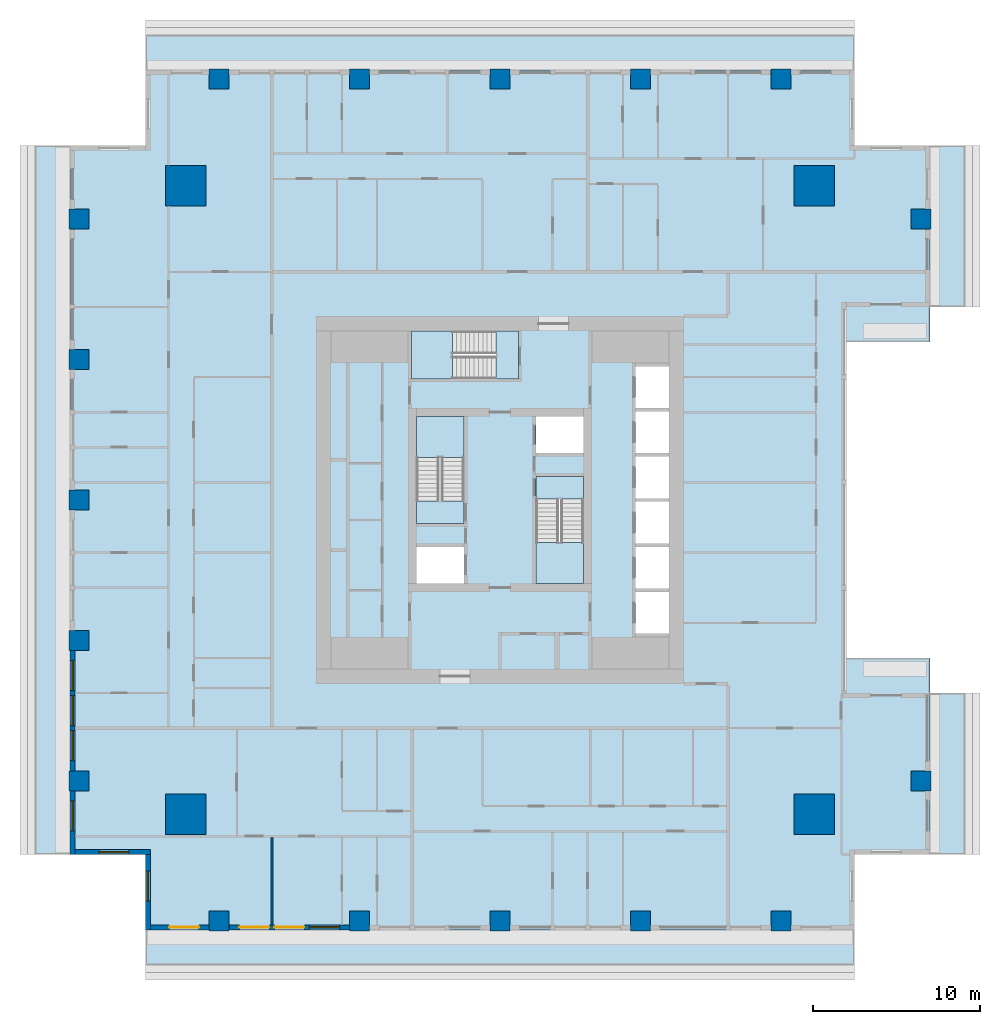
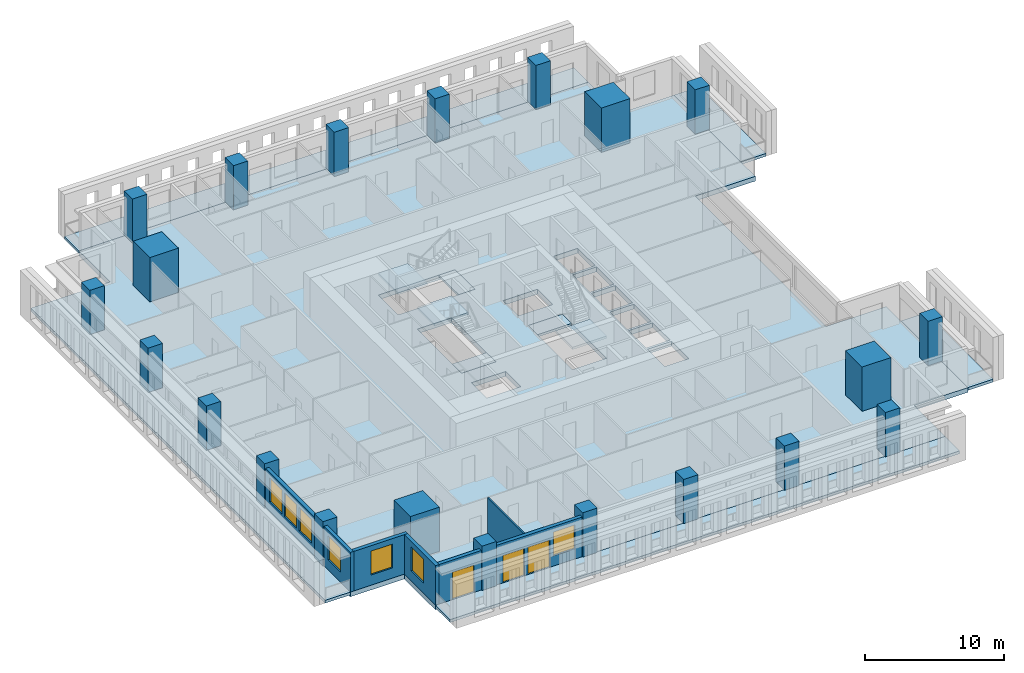
# One storey, part 1 of 15: 21 columns, 12 slabs, 7 walls, 7 windows, 3 doors, 10 openings, 3 elements without a shape of their own.
"""IFC4 building model written with IfcOpenShell, lengths in metres."""

from ifc_helpers import new_model, si_unit, direction, frame, frame_2d, origin, origin_2d, place, context, subcontext, project, spatial, polyline, rectangle, outline, extrude, material, layer, layer_set, material_profile, profile_set, type_object, element, fill, aggregate, save


model = new_model("IFC4")

# Units and contexts
model_context = context("Model", 3, precision=1e-05, world=origin(), true_north=direction((0.0, 1.0)))
body_context = subcontext(model_context, "Body", "Model", "MODEL_VIEW")
ifc_project = project(units=[si_unit("LENGTHUNIT", "METRE"), si_unit("AREAUNIT", "SQUARE_METRE"), si_unit("VOLUMEUNIT", "CUBIC_METRE"), si_unit("PLANEANGLEUNIT", "RADIAN"), si_unit("MASSUNIT", "GRAM", prefix="KILO")], contexts=[model_context])

# Site, building, storey
site_placement = place(None, origin())
site = spatial("IfcSite", under=ifc_project, at=site_placement, CompositionType="ELEMENT")
building_placement = place(site_placement, origin())
building = spatial("IfcBuilding", under=site, at=building_placement, Name="Khepri Terraces", CompositionType="ELEMENT")
storey_placement = place(building_placement, frame((0.0, 0.0, 219.60009765625)))
storey = spatial("IfcBuildingStorey", under=building, at=storey_placement, Name="L52", CompositionType="ELEMENT", Elevation=219.60009765625)

# Columns
ifc_material_1 = material(Name="Concrete C50/60", Category="concrete")
ifc_material_profile_1 = material_profile(ifc_material_1, rectangle(XDim=2.39990234375, YDim=2.39990234375, at=origin_2d()), Name="Concrete C50/60", Category="concrete")
ifc_profile_set_1 = profile_set([ifc_material_profile_1], Name="Concrete C50/60")
column_type_1 = type_object("IfcColumnType", Name="Mega column RC 2400x2400 C50/60", PredefinedType="COLUMN", material=ifc_profile_set_1)
for number, where, z_axis, x_axis, name in (
    (1, (18.800048828125, 18.800048828125, 0.0), (0.0, 0.0, 1.0), (1.0, 0.0, 0.0), "Mega column MEN L52"),
    (2, (18.800048828125, -18.800048828125, 0.0), (0.0, 0.0, 1.0), (1.0, 0.0, 0.0), "Mega column MES L52"),
    (3, (-18.800048828125, 18.800048828125, 0.0), (0.0, 0.0, 1.0), (1.0, 0.0, 0.0), "Mega column MWN L52"),
    (4, (-18.800048828125, -18.800048828125, 0.0), (0.0, 0.0, 1.0), (1.0, 0.0, 0.0), "Mega column MWS L52"),
):
    element("IfcColumn", number, at=place(storey_placement, frame(where, z_axis=z_axis, x_axis=x_axis)), inside=storey, type_object=column_type_1, Name=name, PredefinedType="COLUMN", context=body_context, shape_type="SweptSolid", body=[
        extrude(rectangle(XDim=2.39990234375, YDim=2.39990234375, at=origin_2d()), origin(), (0.0, 0.0, 1.0), 3.89990234375),
    ])
ifc_material_profile_2 = material_profile(ifc_material_1, rectangle(XDim=1.199951171875, YDim=1.199951171875, at=origin_2d()), Name="Concrete C50/60", Category="concrete")
ifc_profile_set_2 = profile_set([ifc_material_profile_2], Name="Concrete C50/60")
column_type_2 = type_object("IfcColumnType", Name="Tower column RC 1200x1200 C50/60", PredefinedType="COLUMN", material=ifc_profile_set_2)
for number, where, z_axis, x_axis, name in (
    (5, (25.199951171875, 16.800048828125, 0.0), (0.0, 0.0, 1.0), (1.0, 0.0, 0.0), "Perimeter column PE+168a L52"),
    (6, (25.199951171875, -16.800048828125, 0.0), (0.0, 0.0, 1.0), (1.0, 0.0, 0.0), "Perimeter column PE-168a L52"),
    (7, (0.0, 25.199951171875, 0.0), (0.0, 0.0, 1.0), (1.0, 0.0, 0.0), "Perimeter column PN+000b L52"),
    (8, (-8.39990234375, 25.199951171875, 0.0), (0.0, 0.0, 1.0), (1.0, 0.0, 0.0), "Perimeter column PN+084b L52"),
    (9, (-16.800048828125, 25.199951171875, 0.0), (0.0, 0.0, 1.0), (1.0, 0.0, 0.0), "Perimeter column PN+168a L52"),
    (10, (8.39990234375, 25.199951171875, 0.0), (0.0, 0.0, 1.0), (1.0, 0.0, 0.0), "Perimeter column PN-084b L52"),
    (11, (16.800048828125, 25.199951171875, 0.0), (0.0, 0.0, 1.0), (1.0, 0.0, 0.0), "Perimeter column PN-168a L52"),
    (12, (0.0, -25.199951171875, 0.0), (0.0, 0.0, 1.0), (1.0, 0.0, 0.0), "Perimeter column PS+000b L52"),
    (13, (8.39990234375, -25.199951171875, 0.0), (0.0, 0.0, 1.0), (1.0, 0.0, 0.0), "Perimeter column PS+084b L52"),
    (14, (16.800048828125, -25.199951171875, 0.0), (0.0, 0.0, 1.0), (1.0, 0.0, 0.0), "Perimeter column PS+168a L52"),
    (15, (-8.39990234375, -25.199951171875, 0.0), (0.0, 0.0, 1.0), (1.0, 0.0, 0.0), "Perimeter column PS-084b L52"),
    (16, (-16.800048828125, -25.199951171875, 0.0), (0.0, 0.0, 1.0), (1.0, 0.0, 0.0), "Perimeter column PS-168a L52"),
    (17, (-25.199951171875, 0.0, 0.0), (0.0, 0.0, 1.0), (1.0, 0.0, 0.0), "Perimeter column PW+000b L52"),
    (18, (-25.199951171875, -8.39990234375, 0.0), (0.0, 0.0, 1.0), (1.0, 0.0, 0.0), "Perimeter column PW+084b L52"),
    (19, (-25.199951171875, -16.800048828125, 0.0), (0.0, 0.0, 1.0), (1.0, 0.0, 0.0), "Perimeter column PW+168a L52"),
    (20, (-25.199951171875, 8.39990234375, 0.0), (0.0, 0.0, 1.0), (1.0, 0.0, 0.0), "Perimeter column PW-084b L52"),
    (21, (-25.199951171875, 16.800048828125, 0.0), (0.0, 0.0, 1.0), (1.0, 0.0, 0.0), "Perimeter column PW-168a L52"),
):
    element("IfcColumn", number, at=place(storey_placement, frame(where, z_axis=z_axis, x_axis=x_axis)), inside=storey, type_object=column_type_2, Name=name, PredefinedType="COLUMN", context=body_context, shape_type="SweptSolid", body=[
        extrude(rectangle(XDim=1.199951171875, YDim=1.199951171875, at=origin_2d()), origin(), (0.0, 0.0, 1.0), 3.89990234375),
    ])

# Slabs
ifc_material_2 = material(Name="Concrete C40/50", Category="concrete")
ifc_layer_1 = layer(ifc_material_2, 0.419921875, Name="Concrete C40/50", Category="concrete")
ifc_layer_set_1 = layer_set([ifc_layer_1], Name="Concrete C40/50")
slab_type_1 = type_object("IfcSlabType", Name="Flat plate 420", PredefinedType="FLOOR", material=ifc_layer_set_1)
slab_1_placement = place(storey_placement, frame((0.0, 0.0, -0.420166015625)))
element("IfcSlab", 22, at=slab_1_placement, inside=storey, type_object=slab_type_1, Name="Floor slab F01 L52", PredefinedType="FLOOR", context=body_context, shape_type="SweptSolid", body=[
    extrude(outline(polyline([(21.219970703125, 25.719970703125), (21.219970703125, 21.219970703125), (25.719970703125, 21.219970703125), (25.719970703125, 11.550048828125), (25.719970703125, 9.449951171875), (20.719970703125, 9.449951171875), (20.719970703125, -9.449951171875), (25.719970703125, -9.449951171875), (25.719970703125, -11.550048828125), (25.719970703125, -21.219970703125), (21.219970703125, -21.219970703125), (21.219970703125, -25.719970703125), (-21.219970703125, -25.719970703125), (-21.219970703125, -21.219970703125), (-25.719970703125, -21.219970703125), (-25.719970703125, 21.219970703125), (-21.219970703125, 21.219970703125), (-21.219970703125, 25.719970703125), (21.219970703125, 25.719970703125)]), holes=[polyline([(2.14990234375, 2.800048828125), (5.0, 2.800048828125), (5.0, 5.0), (2.14990234375, 5.0), (2.14990234375, 2.800048828125)]), polyline([(-5.0, -2.800048828125), (-5.0, -5.0), (-2.14990234375, -5.0), (-2.14990234375, -2.800048828125), (-5.0, -2.800048828125)]), polyline([(10.10009765625, -5.5), (8.10009765625, -5.5), (8.10009765625, -8.0), (10.10009765625, -8.0), (10.10009765625, -5.5)]), polyline([(10.10009765625, -5.300048828125), (10.10009765625, -2.800048828125), (8.10009765625, -2.800048828125), (8.10009765625, -5.300048828125), (10.10009765625, -5.300048828125)]), polyline([(8.10009765625, -2.60009765625), (10.10009765625, -2.60009765625), (10.10009765625, -0.10009765625), (8.10009765625, -0.10009765625), (8.10009765625, -2.60009765625)]), polyline([(8.10009765625, 2.60009765625), (8.10009765625, 0.10009765625), (10.10009765625, 0.10009765625), (10.10009765625, 2.60009765625), (8.10009765625, 2.60009765625)]), polyline([(10.10009765625, 5.300048828125), (8.10009765625, 5.300048828125), (8.10009765625, 2.800048828125), (10.10009765625, 2.800048828125), (10.10009765625, 5.300048828125)]), polyline([(10.10009765625, 5.5), (10.10009765625, 8.0), (8.10009765625, 8.0), (8.10009765625, 5.5), (10.10009765625, 5.5)]), polyline([(-5.0, -1.39990234375), (-2.14990234375, -1.39990234375), (-2.14990234375, 5.0), (-5.0, 5.0), (-5.0, -1.39990234375)]), polyline([(5.0, -5.0), (5.0, 1.39990234375), (2.14990234375, 1.39990234375), (2.14990234375, -5.0), (5.0, -5.0)]), polyline([(-5.300048828125, 10.10009765625), (-5.300048828125, 7.25), (1.10009765625, 7.25), (1.10009765625, 10.10009765625), (-5.300048828125, 10.10009765625)])]), origin(), (0.0, 0.0, 1.0), 0.420166015625),
])
ifc_material_3 = material(Name="Precast concrete C50/60 warm stone", Category="masonry")
ifc_layer_2 = layer(ifc_material_3, 0.25, Name="Precast concrete C50/60 warm stone", Category="masonry")
ifc_layer_set_2 = layer_set([ifc_layer_2], Name="Precast concrete C50/60 warm stone")
slab_type_2 = type_object("IfcSlabType", Name="SLB-BALCONY-250", PredefinedType="FLOOR", material=ifc_layer_set_2)
slab_2_placement = place(storey_placement, frame((0.0, 0.0, -0.25)))
element("IfcSlab", 23, at=slab_2_placement, inside=storey, type_object=slab_type_2, Name="Balcony slab L52 S", PredefinedType="FLOOR", context=body_context, shape_type="SweptSolid", body=[
    extrude(outline(polyline([(-17.39990234375, -25.719970703125), (-21.219970703125, -25.719970703125), (-21.219970703125, -27.820068359375), (21.219970703125, -27.820068359375), (21.219970703125, -25.719970703125), (17.39990234375, -25.719970703125), (17.39990234375, -25.800048828125), (16.199951171875, -25.800048828125), (16.199951171875, -25.719970703125), (9.0, -25.719970703125), (9.0, -25.800048828125), (7.800048828125, -25.800048828125), (7.800048828125, -25.719970703125), (0.60009765625, -25.719970703125), (0.60009765625, -25.800048828125), (-0.60009765625, -25.800048828125), (-0.60009765625, -25.719970703125), (-7.800048828125, -25.719970703125), (-7.800048828125, -25.800048828125), (-9.0, -25.800048828125), (-9.0, -25.719970703125), (-16.199951171875, -25.719970703125), (-16.199951171875, -25.800048828125), (-17.39990234375, -25.800048828125), (-17.39990234375, -25.719970703125)])), origin(), (0.0, 0.0, 1.0), 0.25),
])
slab_3_placement = place(storey_placement, frame((0.0, 0.0, -0.25)))
element("IfcSlab", 24, at=slab_3_placement, inside=storey, type_object=slab_type_2, Name="Balcony slab L52 E", PredefinedType="FLOOR", context=body_context, shape_type="SweptSolid", body=[
    extrude(outline(polyline([(25.719970703125, -17.39990234375), (25.719970703125, -21.219970703125), (27.820068359375, -21.219970703125), (27.820068359375, -11.550048828125), (25.719970703125, -11.550048828125), (25.719970703125, -16.199951171875), (25.800048828125, -16.199951171875), (25.800048828125, -17.39990234375), (25.719970703125, -17.39990234375)])), origin(), (0.0, 0.0, 1.0), 0.25),
])
slab_4_placement = place(storey_placement, frame((0.0, 0.0, -0.25)))
element("IfcSlab", 25, at=slab_4_placement, inside=storey, type_object=slab_type_2, Name="Balcony slab L52 E", PredefinedType="FLOOR", context=body_context, shape_type="SweptSolid", body=[
    extrude(outline(polyline([(25.719970703125, 16.199951171875), (25.719970703125, 11.550048828125), (27.820068359375, 11.550048828125), (27.820068359375, 21.219970703125), (25.719970703125, 21.219970703125), (25.719970703125, 17.39990234375), (25.800048828125, 17.39990234375), (25.800048828125, 16.199951171875), (25.719970703125, 16.199951171875)])), origin(), (0.0, 0.0, 1.0), 0.25),
])
slab_5_placement = place(storey_placement, frame((0.0, 0.0, -0.25)))
element("IfcSlab", 26, at=slab_5_placement, inside=storey, type_object=slab_type_2, Name="Balcony slab L52 N", PredefinedType="FLOOR", context=body_context, shape_type="SweptSolid", body=[
    extrude(outline(polyline([(17.39990234375, 25.719970703125), (21.219970703125, 25.719970703125), (21.219970703125, 27.820068359375), (-21.219970703125, 27.820068359375), (-21.219970703125, 25.719970703125), (-17.39990234375, 25.719970703125), (-17.39990234375, 25.800048828125), (-16.199951171875, 25.800048828125), (-16.199951171875, 25.719970703125), (-9.0, 25.719970703125), (-9.0, 25.800048828125), (-7.800048828125, 25.800048828125), (-7.800048828125, 25.719970703125), (-0.60009765625, 25.719970703125), (-0.60009765625, 25.800048828125), (0.60009765625, 25.800048828125), (0.60009765625, 25.719970703125), (7.800048828125, 25.719970703125), (7.800048828125, 25.800048828125), (9.0, 25.800048828125), (9.0, 25.719970703125), (16.199951171875, 25.719970703125), (16.199951171875, 25.800048828125), (17.39990234375, 25.800048828125), (17.39990234375, 25.719970703125)])), origin(), (0.0, 0.0, 1.0), 0.25),
])
slab_6_placement = place(storey_placement, frame((0.0, 0.0, -0.25)))
element("IfcSlab", 27, at=slab_6_placement, inside=storey, type_object=slab_type_2, Name="Balcony slab L52 W", PredefinedType="FLOOR", context=body_context, shape_type="SweptSolid", body=[
    extrude(outline(polyline([(-25.719970703125, 17.39990234375), (-25.719970703125, 21.219970703125), (-27.820068359375, 21.219970703125), (-27.820068359375, -21.219970703125), (-25.719970703125, -21.219970703125), (-25.719970703125, -17.39990234375), (-25.800048828125, -17.39990234375), (-25.800048828125, -16.199951171875), (-25.719970703125, -16.199951171875), (-25.719970703125, -9.0), (-25.800048828125, -9.0), (-25.800048828125, -7.800048828125), (-25.719970703125, -7.800048828125), (-25.719970703125, -0.60009765625), (-25.800048828125, -0.60009765625), (-25.800048828125, 0.60009765625), (-25.719970703125, 0.60009765625), (-25.719970703125, 7.800048828125), (-25.800048828125, 7.800048828125), (-25.800048828125, 9.0), (-25.719970703125, 9.0), (-25.719970703125, 16.199951171875), (-25.800048828125, 16.199951171875), (-25.800048828125, 17.39990234375), (-25.719970703125, 17.39990234375)])), origin(), (0.0, 0.0, 1.0), 0.25),
])

# Stair, slabs
stair_type = type_object("IfcStairType", Name="STAIR-RC-22R", PredefinedType="HALF_TURN_STAIR", material=ifc_material_2)
stair_1_placement = place(storey_placement, origin())
stair_1 = element("IfcStair", 28, at=stair_1_placement, inside=storey, type_object=stair_type, Name="L52 Exit Stair ST-1", PredefinedType="HALF_TURN_STAIR")
ifc_layer_3 = layer(ifc_material_2, 0.199951171875, Name="Concrete C40/50", Category="concrete")
ifc_layer_set_3 = layer_set([ifc_layer_3], Name="Concrete C40/50")
slab_type_3 = type_object("IfcSlabType", Name="SLB-CORE-LANDING", PredefinedType="LANDING", material=ifc_layer_set_3)
slab_7_placement = place(storey_placement, frame((0.0, 0.0, -0.2001953125)))
slab_7 = element("IfcSlab", 29, at=slab_7_placement, type_object=slab_type_3, Name="ST-1 landing 1", PredefinedType="LANDING", context=body_context, shape_type="SweptSolid", body=[
    extrude(outline(polyline([(-2.14990234375, -1.39990234375), (-2.14990234375, -0.050048828125), (-5.0, -0.050048828125), (-5.0, -1.39990234375), (-2.14990234375, -1.39990234375)])), origin(), (0.0, 0.0, 1.0), 0.2001953125),
])
slab_8_placement = place(storey_placement, frame((0.0, 0.0, 1.75)))
slab_8 = element("IfcSlab", 30, at=slab_8_placement, type_object=slab_type_3, Name="ST-1 landing 2", PredefinedType="LANDING", context=body_context, shape_type="SweptSolid", body=[
    extrude(outline(polyline([(-2.14990234375, 2.550048828125), (-2.14990234375, 5.0), (-5.0, 5.0), (-5.0, 2.550048828125), (-2.14990234375, 2.550048828125)])), origin(), (0.0, 0.0, 1.0), 0.199951171875),
])
aggregate(stair_1, [slab_7, slab_8])

stair_2_placement = place(storey_placement, origin())
stair_2 = element("IfcStair", 31, at=stair_2_placement, inside=storey, type_object=stair_type, Name="L52 Exit Stair ST-2", PredefinedType="HALF_TURN_STAIR")
slab_9_placement = place(storey_placement, frame((0.0, 0.0, -0.2001953125)))
slab_9 = element("IfcSlab", 32, at=slab_9_placement, type_object=slab_type_3, Name="ST-2 landing 1", PredefinedType="LANDING", context=body_context, shape_type="SweptSolid", body=[
    extrude(outline(polyline([(2.14990234375, 1.39990234375), (2.14990234375, 0.050048828125), (5.0, 0.050048828125), (5.0, 1.39990234375), (2.14990234375, 1.39990234375)])), origin(), (0.0, 0.0, 1.0), 0.2001953125),
])
slab_10_placement = place(storey_placement, frame((0.0, 0.0, 1.75)))
slab_10 = element("IfcSlab", 33, at=slab_10_placement, type_object=slab_type_3, Name="ST-2 landing 2", PredefinedType="LANDING", context=body_context, shape_type="SweptSolid", body=[
    extrude(outline(polyline([(2.14990234375, -2.550048828125), (2.14990234375, -5.0), (5.0, -5.0), (5.0, -2.550048828125), (2.14990234375, -2.550048828125)])), origin(), (0.0, 0.0, 1.0), 0.199951171875),
])
aggregate(stair_2, [slab_9, slab_10])

stair_3_placement = place(storey_placement, origin())
stair_3 = element("IfcStair", 34, at=stair_3_placement, inside=storey, type_object=stair_type, Name="L52 Exit Stair ST-3", PredefinedType="HALF_TURN_STAIR")
slab_11_placement = place(storey_placement, frame((0.0, 0.0, -0.2001953125)))
slab_11 = element("IfcSlab", 35, at=slab_11_placement, type_object=slab_type_3, Name="ST-3 landing 1", PredefinedType="LANDING", context=body_context, shape_type="SweptSolid", body=[
    extrude(outline(polyline([(1.10009765625, 10.10009765625), (-0.25, 10.10009765625), (-0.25, 7.25), (1.10009765625, 7.25), (1.10009765625, 10.10009765625)])), origin(), (0.0, 0.0, 1.0), 0.2001953125),
])
slab_12_placement = place(storey_placement, frame((0.0, 0.0, 1.75)))
slab_12 = element("IfcSlab", 36, at=slab_12_placement, type_object=slab_type_3, Name="ST-3 landing 2", PredefinedType="LANDING", context=body_context, shape_type="SweptSolid", body=[
    extrude(outline(polyline([(-2.85009765625, 10.10009765625), (-5.300048828125, 10.10009765625), (-5.300048828125, 7.25), (-2.85009765625, 7.25), (-2.85009765625, 10.10009765625)])), origin(), (0.0, 0.0, 1.0), 0.199951171875),
])
aggregate(stair_3, [slab_11, slab_12])

# Wall, openings, windows
ifc_layer_4 = layer(ifc_material_3, 0.300048828125, Name="Precast concrete C50/60 warm stone", Category="masonry")
ifc_layer_set_4 = layer_set([ifc_layer_4], Name="Precast concrete C50/60 warm stone")
wall_type_1 = type_object("IfcWallType", Name="WL-EXT-PRECAST-300", PredefinedType="STANDARD", material=ifc_layer_set_4)
wall_1_placement = place(storey_placement, frame((-25.570068359375, -9.0, 0.0), z_axis=(0.0, 0.0, 1.0), x_axis=(0.0, -1.0, 0.0)))
wall_1 = element("IfcWall", 37, at=wall_1_placement, inside=storey, type_object=wall_type_1, Name="External wall L52 W", PredefinedType="STANDARD", context=body_context, shape_type="SweptSolid", body=[
    extrude(rectangle(XDim=7.199951171875, YDim=0.300048828125, at=frame_2d((3.60009765625, 0.0))), origin(), (0.0, 0.0, 1.0), 3.47998046875),
])
opening_1_placement = place(wall_1_placement, frame((0.60009765625, 0.0, 0.89990234375)))
opening_1 = element("IfcOpeningElement", 38, at=opening_1_placement, cuts=wall_1, Name="Opening W1", PredefinedType="OPENING", context=body_context, shape_type="SweptSolid", body=[
    extrude(rectangle(XDim=1.800048828125, YDim=2.10009765625, at=frame_2d((0.89990234375, 1.050048828125))), frame((0.0, 0.16015625, 0.0), z_axis=(0.0, -1.0, 0.0), x_axis=(1.0, 0.0, 0.0)), (0.0, 0.0, 1.0), 0.320068359375),
])
opening_2_placement = place(wall_1_placement, frame((2.699951171875, 0.0, 0.89990234375)))
opening_2 = element("IfcOpeningElement", 39, at=opening_2_placement, cuts=wall_1, Name="Opening W1", PredefinedType="OPENING", context=body_context, shape_type="SweptSolid", body=[
    extrude(rectangle(XDim=1.800048828125, YDim=2.10009765625, at=frame_2d((0.89990234375, 1.050048828125))), frame((0.0, 0.16015625, 0.0), z_axis=(0.0, -1.0, 0.0), x_axis=(1.0, 0.0, 0.0)), (0.0, 0.0, 1.0), 0.320068359375),
])
opening_3_placement = place(wall_1_placement, frame((4.800048828125, 0.0, 0.89990234375)))
opening_3 = element("IfcOpeningElement", 40, at=opening_3_placement, cuts=wall_1, Name="Opening W1", PredefinedType="OPENING", context=body_context, shape_type="SweptSolid", body=[
    extrude(rectangle(XDim=1.800048828125, YDim=2.10009765625, at=frame_2d((0.89990234375, 1.050048828125))), frame((0.0, 0.16015625, 0.0), z_axis=(0.0, -1.0, 0.0), x_axis=(1.0, 0.0, 0.0)), (0.0, 0.0, 1.0), 0.320068359375),
])
ifc_material_4 = material(Name="Clear glass", Category="glass")
window_type = type_object("IfcWindowType", Name="WIN-RES-1800x2100", PartitioningType="SINGLE_PANEL", PredefinedType="WINDOW", material=ifc_material_4)
window_1_placement = place(opening_1_placement, origin())
window_1 = element("IfcWindow", 41, at=window_1_placement, inside=storey, type_object=window_type, Name="Window L52 W", OverallHeight=2.10009765625, OverallWidth=1.800048828125, PartitioningType="SINGLE_PANEL", PredefinedType="WINDOW", context=body_context, shape_type="SweptSolid", body=[
    extrude(rectangle(XDim=1.800048828125, YDim=2.10009765625, at=frame_2d((0.89990234375, 1.050048828125))), frame((0.0, 0.030029296875, 0.0), z_axis=(0.0, -1.0, 0.0), x_axis=(1.0, 0.0, 0.0)), (0.0, 0.0, 1.0), 0.06005859375),
])
fill(opening_1, window_1)
window_2_placement = place(opening_2_placement, origin())
window_2 = element("IfcWindow", 42, at=window_2_placement, inside=storey, type_object=window_type, Name="Window L52 W", OverallHeight=2.10009765625, OverallWidth=1.800048828125, PartitioningType="SINGLE_PANEL", PredefinedType="WINDOW", context=body_context, shape_type="SweptSolid", body=[
    extrude(rectangle(XDim=1.800048828125, YDim=2.10009765625, at=frame_2d((0.89990234375, 1.050048828125))), frame((0.0, 0.030029296875, 0.0), z_axis=(0.0, -1.0, 0.0), x_axis=(1.0, 0.0, 0.0)), (0.0, 0.0, 1.0), 0.06005859375),
])
fill(opening_2, window_2)
window_3_placement = place(opening_3_placement, origin())
window_3 = element("IfcWindow", 43, at=window_3_placement, inside=storey, type_object=window_type, Name="Window L52 W", OverallHeight=2.10009765625, OverallWidth=1.800048828125, PartitioningType="SINGLE_PANEL", PredefinedType="WINDOW", context=body_context, shape_type="SweptSolid", body=[
    extrude(rectangle(XDim=1.800048828125, YDim=2.10009765625, at=frame_2d((0.89990234375, 1.050048828125))), frame((0.0, 0.030029296875, 0.0), z_axis=(0.0, -1.0, 0.0), x_axis=(1.0, 0.0, 0.0)), (0.0, 0.0, 1.0), 0.06005859375),
])
fill(opening_3, window_3)

# Wall, opening, window
wall_2_placement = place(storey_placement, frame((-25.570068359375, -17.39990234375, 0.0), z_axis=(0.0, 0.0, 1.0), x_axis=(0.0, -1.0, 0.0)))
wall_2 = element("IfcWall", 44, at=wall_2_placement, inside=storey, type_object=wall_type_1, Name="External wall L52 W", PredefinedType="STANDARD", context=body_context, shape_type="SweptSolid", body=[
    extrude(rectangle(XDim=3.820068359375, YDim=0.300048828125, at=frame_2d((1.91015625, 0.0))), origin(), (0.0, 0.0, 1.0), 3.47998046875),
])
opening_4_placement = place(wall_2_placement, frame((0.60009765625, 0.0, 0.89990234375)))
opening_4 = element("IfcOpeningElement", 45, at=opening_4_placement, cuts=wall_2, Name="Opening W1", PredefinedType="OPENING", context=body_context, shape_type="SweptSolid", body=[
    extrude(rectangle(XDim=1.800048828125, YDim=2.10009765625, at=frame_2d((0.89990234375, 1.050048828125))), frame((0.0, 0.16015625, 0.0), z_axis=(0.0, -1.0, 0.0), x_axis=(1.0, 0.0, 0.0)), (0.0, 0.0, 1.0), 0.320068359375),
])
window_4_placement = place(opening_4_placement, origin())
window_4 = element("IfcWindow", 46, at=window_4_placement, inside=storey, type_object=window_type, Name="Window L52 W", OverallHeight=2.10009765625, OverallWidth=1.800048828125, PartitioningType="SINGLE_PANEL", PredefinedType="WINDOW", context=body_context, shape_type="SweptSolid", body=[
    extrude(rectangle(XDim=1.800048828125, YDim=2.10009765625, at=frame_2d((0.89990234375, 1.050048828125))), frame((0.0, 0.030029296875, 0.0), z_axis=(0.0, -1.0, 0.0), x_axis=(1.0, 0.0, 0.0)), (0.0, 0.0, 1.0), 0.06005859375),
])
fill(opening_4, window_4)

wall_3_placement = place(storey_placement, frame((-25.419921875, -21.070068359375, 0.0), z_axis=(0.0, 0.0, 1.0), x_axis=(1.0, 0.0, 0.0)))
wall_3 = element("IfcWall", 47, at=wall_3_placement, inside=storey, type_object=wall_type_1, Name="External wall L52 S", PredefinedType="STANDARD", context=body_context, shape_type="SweptSolid", body=[
    extrude(rectangle(XDim=4.5, YDim=0.300048828125, at=frame_2d((2.25, 0.0))), origin(), (0.0, 0.0, 1.0), 3.47998046875),
])
opening_5_placement = place(wall_3_placement, frame((1.419921875, 0.0, 0.89990234375)))
opening_5 = element("IfcOpeningElement", 48, at=opening_5_placement, cuts=wall_3, Name="Opening W1", PredefinedType="OPENING", context=body_context, shape_type="SweptSolid", body=[
    extrude(rectangle(XDim=1.800048828125, YDim=2.10009765625, at=frame_2d((0.89990234375, 1.050048828125))), frame((0.0, 0.16015625, 0.0), z_axis=(0.0, -1.0, 0.0), x_axis=(1.0, 0.0, 0.0)), (0.0, 0.0, 1.0), 0.320068359375),
])
window_5_placement = place(opening_5_placement, origin())
window_5 = element("IfcWindow", 49, at=window_5_placement, inside=storey, type_object=window_type, Name="Window L52 S", OverallHeight=2.10009765625, OverallWidth=1.800048828125, PartitioningType="SINGLE_PANEL", PredefinedType="WINDOW", context=body_context, shape_type="SweptSolid", body=[
    extrude(rectangle(XDim=1.800048828125, YDim=2.10009765625, at=frame_2d((0.89990234375, 1.050048828125))), frame((0.0, 0.030029296875, 0.0), z_axis=(0.0, -1.0, 0.0), x_axis=(1.0, 0.0, 0.0)), (0.0, 0.0, 1.0), 0.06005859375),
])
fill(opening_5, window_5)

wall_4_placement = place(storey_placement, frame((-21.070068359375, -21.219970703125, 0.0), z_axis=(0.0, 0.0, 1.0), x_axis=(0.0, -1.0, 0.0)))
wall_4 = element("IfcWall", 50, at=wall_4_placement, inside=storey, type_object=wall_type_1, Name="External wall L52 W", PredefinedType="STANDARD", context=body_context, shape_type="SweptSolid", body=[
    extrude(rectangle(XDim=4.5, YDim=0.300048828125, at=frame_2d((2.25, 0.0))), origin(), (0.0, 0.0, 1.0), 3.47998046875),
])
opening_6_placement = place(wall_4_placement, frame((0.97998046875, 0.0, 0.89990234375)))
opening_6 = element("IfcOpeningElement", 51, at=opening_6_placement, cuts=wall_4, Name="Opening W1", PredefinedType="OPENING", context=body_context, shape_type="SweptSolid", body=[
    extrude(rectangle(XDim=1.800048828125, YDim=2.10009765625, at=frame_2d((0.89990234375, 1.050048828125))), frame((0.0, 0.16015625, 0.0), z_axis=(0.0, -1.0, 0.0), x_axis=(1.0, 0.0, 0.0)), (0.0, 0.0, 1.0), 0.320068359375),
])
window_6_placement = place(opening_6_placement, origin())
window_6 = element("IfcWindow", 52, at=window_6_placement, inside=storey, type_object=window_type, Name="Window L52 W", OverallHeight=2.10009765625, OverallWidth=1.800048828125, PartitioningType="SINGLE_PANEL", PredefinedType="WINDOW", context=body_context, shape_type="SweptSolid", body=[
    extrude(rectangle(XDim=1.800048828125, YDim=2.10009765625, at=frame_2d((0.89990234375, 1.050048828125))), frame((0.0, 0.030029296875, 0.0), z_axis=(0.0, -1.0, 0.0), x_axis=(1.0, 0.0, 0.0)), (0.0, 0.0, 1.0), 0.06005859375),
])
fill(opening_6, window_6)

# Wall, opening, door
wall_5_placement = place(storey_placement, frame((-20.919921875, -25.570068359375, 0.0), z_axis=(0.0, 0.0, 1.0), x_axis=(1.0, 0.0, 0.0)))
wall_5 = element("IfcWall", 53, at=wall_5_placement, inside=storey, type_object=wall_type_1, Name="External wall L52 S", PredefinedType="STANDARD", context=body_context, shape_type="SweptSolid", body=[
    extrude(rectangle(XDim=3.52001953125, YDim=0.300048828125, at=frame_2d((1.760009765625, 0.0))), origin(), (0.0, 0.0, 1.0), 3.47998046875),
])
opening_7_placement = place(wall_5_placement, frame((1.1201171875, 0.0, 0.0)))
opening_7 = element("IfcOpeningElement", 54, at=opening_7_placement, cuts=wall_5, Name="Opening ED-L52-16", PredefinedType="OPENING", context=body_context, shape_type="SweptSolid", body=[
    extrude(rectangle(XDim=1.800048828125, YDim=2.39990234375, at=frame_2d((0.89990234375, 1.199951171875))), frame((0.0, 0.16015625, 0.0), z_axis=(0.0, -1.0, 0.0), x_axis=(1.0, 0.0, 0.0)), (0.0, 0.0, 1.0), 0.320068359375),
])
ifc_material_5 = material(Name="Anodised aluminium bronze glazed door", Category="aluminium")
door_type = type_object("IfcDoorType", Name="DR-BAL-SLIDE-1800x2400", OperationType="NOTDEFINED", PredefinedType="DOOR", material=ifc_material_5)
door_1_placement = place(opening_7_placement, origin())
door_1 = element("IfcDoor", 55, at=door_1_placement, inside=storey, type_object=door_type, Name="Balcony door L52 S", OperationType="SLIDING_TO_RIGHT", OverallHeight=2.39990234375, OverallWidth=1.800048828125, PredefinedType="DOOR", context=body_context, shape_type="SweptSolid", body=[
    extrude(rectangle(XDim=1.800048828125, YDim=2.39990234375, at=frame_2d((0.89990234375, 1.199951171875))), frame((0.0, 0.02490234375, 0.0), z_axis=(0.0, -1.0, 0.0), x_axis=(1.0, 0.0, 0.0)), (0.0, 0.0, 1.0), 0.050048828125),
])
fill(opening_7, door_1)

# Wall, openings, doors, window
wall_6_placement = place(storey_placement, frame((-16.199951171875, -25.570068359375, 0.0), z_axis=(0.0, 0.0, 1.0), x_axis=(1.0, 0.0, 0.0)))
wall_6 = element("IfcWall", 56, at=wall_6_placement, inside=storey, type_object=wall_type_1, Name="External wall L52 S", PredefinedType="STANDARD", context=body_context, shape_type="SweptSolid", body=[
    extrude(rectangle(XDim=7.199951171875, YDim=0.300048828125, at=frame_2d((3.60009765625, 0.0))), origin(), (0.0, 0.0, 1.0), 3.47998046875),
])
opening_8_placement = place(wall_6_placement, frame((0.60009765625, 0.0, 0.0)))
opening_8 = element("IfcOpeningElement", 57, at=opening_8_placement, cuts=wall_6, Name="Opening ED-L52-17", PredefinedType="OPENING", context=body_context, shape_type="SweptSolid", body=[
    extrude(rectangle(XDim=1.800048828125, YDim=2.39990234375, at=frame_2d((0.89990234375, 1.199951171875))), frame((0.0, 0.16015625, 0.0), z_axis=(0.0, -1.0, 0.0), x_axis=(1.0, 0.0, 0.0)), (0.0, 0.0, 1.0), 0.320068359375),
])
opening_9_placement = place(wall_6_placement, frame((2.699951171875, 0.0, 0.0)))
opening_9 = element("IfcOpeningElement", 58, at=opening_9_placement, cuts=wall_6, Name="Opening ED-L52-18", PredefinedType="OPENING", context=body_context, shape_type="SweptSolid", body=[
    extrude(rectangle(XDim=1.800048828125, YDim=2.39990234375, at=frame_2d((0.89990234375, 1.199951171875))), frame((0.0, 0.16015625, 0.0), z_axis=(0.0, -1.0, 0.0), x_axis=(1.0, 0.0, 0.0)), (0.0, 0.0, 1.0), 0.320068359375),
])
opening_10_placement = place(wall_6_placement, frame((4.800048828125, 0.0, 0.89990234375)))
opening_10 = element("IfcOpeningElement", 59, at=opening_10_placement, cuts=wall_6, Name="Opening W1", PredefinedType="OPENING", context=body_context, shape_type="SweptSolid", body=[
    extrude(rectangle(XDim=1.800048828125, YDim=2.10009765625, at=frame_2d((0.89990234375, 1.050048828125))), frame((0.0, 0.16015625, 0.0), z_axis=(0.0, -1.0, 0.0), x_axis=(1.0, 0.0, 0.0)), (0.0, 0.0, 1.0), 0.320068359375),
])
door_2_placement = place(opening_8_placement, origin())
door_2 = element("IfcDoor", 60, at=door_2_placement, inside=storey, type_object=door_type, Name="Balcony door L52 S", OperationType="SLIDING_TO_LEFT", OverallHeight=2.39990234375, OverallWidth=1.800048828125, PredefinedType="DOOR", context=body_context, shape_type="SweptSolid", body=[
    extrude(rectangle(XDim=1.800048828125, YDim=2.39990234375, at=frame_2d((0.89990234375, 1.199951171875))), frame((0.0, 0.02490234375, 0.0), z_axis=(0.0, -1.0, 0.0), x_axis=(1.0, 0.0, 0.0)), (0.0, 0.0, 1.0), 0.050048828125),
])
fill(opening_8, door_2)
door_3_placement = place(opening_9_placement, origin())
door_3 = element("IfcDoor", 61, at=door_3_placement, inside=storey, type_object=door_type, Name="Balcony door L52 S", OperationType="SLIDING_TO_RIGHT", OverallHeight=2.39990234375, OverallWidth=1.800048828125, PredefinedType="DOOR", context=body_context, shape_type="SweptSolid", body=[
    extrude(rectangle(XDim=1.800048828125, YDim=2.39990234375, at=frame_2d((0.89990234375, 1.199951171875))), frame((0.0, 0.02490234375, 0.0), z_axis=(0.0, -1.0, 0.0), x_axis=(1.0, 0.0, 0.0)), (0.0, 0.0, 1.0), 0.050048828125),
])
fill(opening_9, door_3)
window_7_placement = place(opening_10_placement, origin())
window_7 = element("IfcWindow", 62, at=window_7_placement, inside=storey, type_object=window_type, Name="Window L52 S", OverallHeight=2.10009765625, OverallWidth=1.800048828125, PartitioningType="SINGLE_PANEL", PredefinedType="WINDOW", context=body_context, shape_type="SweptSolid", body=[
    extrude(rectangle(XDim=1.800048828125, YDim=2.10009765625, at=frame_2d((0.89990234375, 1.050048828125))), frame((0.0, 0.030029296875, 0.0), z_axis=(0.0, -1.0, 0.0), x_axis=(1.0, 0.0, 0.0)), (0.0, 0.0, 1.0), 0.06005859375),
])
fill(opening_10, window_7)

# Wall
ifc_material_6 = material(Name="Gypsum plasterboard partition")
ifc_layer_5 = layer(ifc_material_6, 0.1201171875, Name="Gypsum plasterboard partition")
ifc_layer_set_5 = layer_set([ifc_layer_5], Name="Gypsum plasterboard partition")
wall_type_2 = type_object("IfcWallType", Name="WL-PART-120", PredefinedType="PARTITIONING", material=ifc_layer_set_5)
wall_7_placement = place(storey_placement, frame((-13.64990234375, -25.419921875, 0.0), z_axis=(0.0, 0.0, 1.0), x_axis=(0.0, 1.0, 0.0)))
element("IfcWall", 63, at=wall_7_placement, inside=storey, type_object=wall_type_2, Name="Partition P-001 L52", PredefinedType="PARTITIONING", context=body_context, shape_type="SweptSolid", body=[
    extrude(rectangle(XDim=5.239990234375, YDim=0.1201171875, at=frame_2d((2.6201171875, 0.0))), origin(), (0.0, 0.0, 1.0), 3.47998046875),
])

save(model, "model.ifc")
